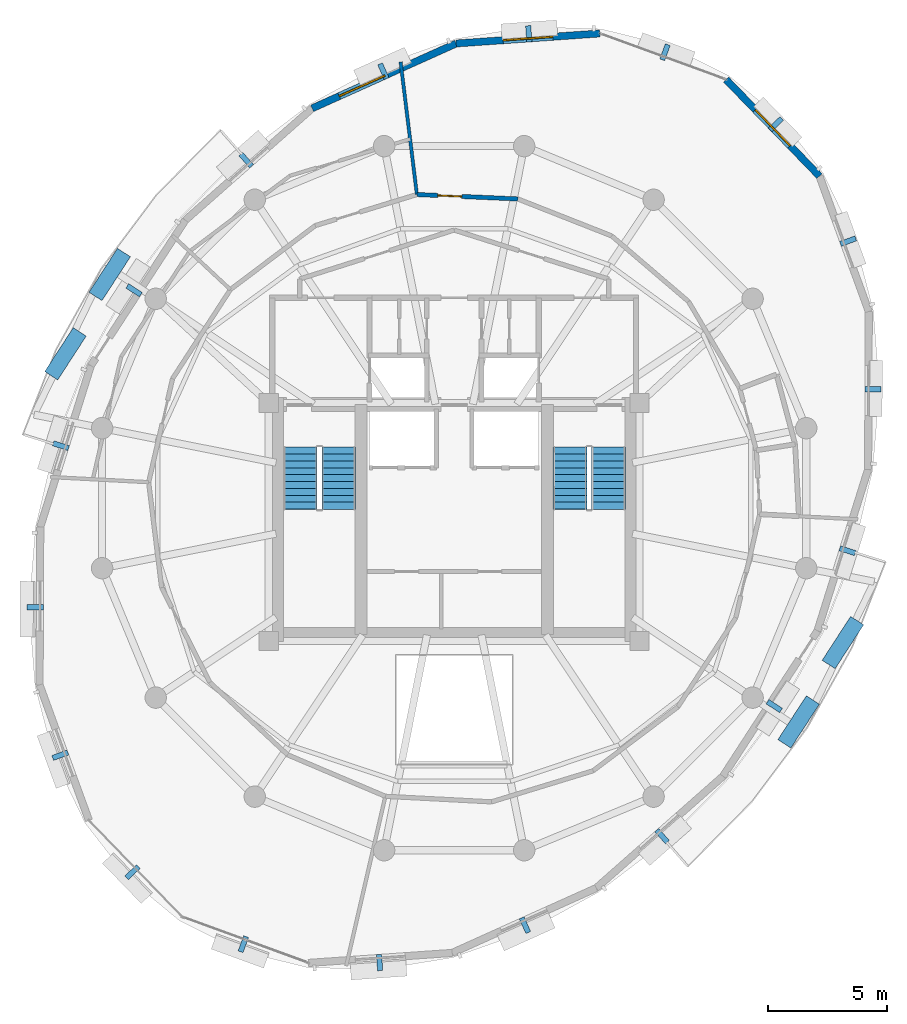
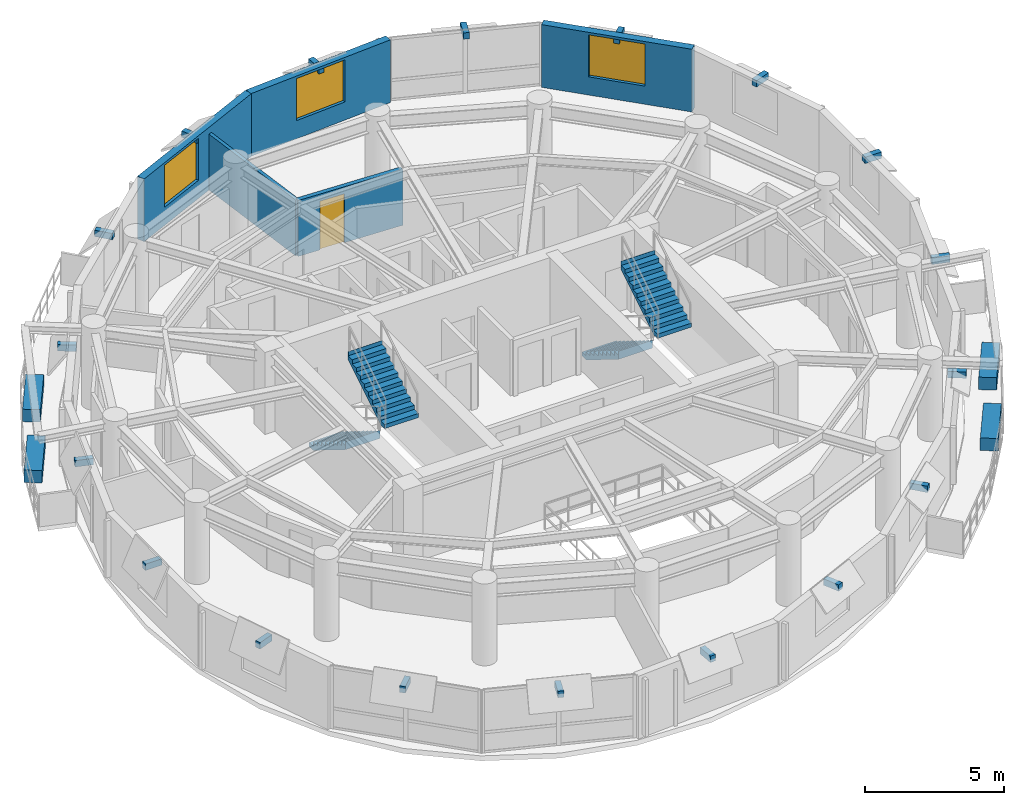
# One storey, part 9 of 11: 22 discrete accessories, 5 walls, 4 stair flights, 3 windows, 1 door, 4 openings, 2 elements without a shape of their own.
"""IFC4 building model written with IfcOpenShell, lengths in metres."""

from ifc_helpers import new_model, si_unit, direction, frame, frame_2d, origin, origin_2d, place, context, subcontext, project, spatial, polyline, rectangle, outline, extrude, material, layer, layer_set, type_object, element, fill, aggregate, save


model = new_model("IFC4")

# Units and contexts
model_context = context("Model", 3, precision=1e-05, world=origin(), true_north=direction((0.0, 1.0)))
body_context = subcontext(model_context, "Body", "Model", "MODEL_VIEW")
ifc_project = project(units=[si_unit("LENGTHUNIT", "METRE"), si_unit("AREAUNIT", "SQUARE_METRE"), si_unit("VOLUMEUNIT", "CUBIC_METRE"), si_unit("PLANEANGLEUNIT", "RADIAN"), si_unit("MASSUNIT", "GRAM", prefix="KILO"), si_unit("THERMODYNAMICTEMPERATUREUNIT", "KELVIN"), si_unit("POWERUNIT", "WATT")], contexts=[model_context])

# Site, building, storey
site_placement = place(None, origin())
site = spatial("IfcSite", under=ifc_project, at=site_placement, CompositionType="ELEMENT")
building_placement = place(site_placement, origin())
building = spatial("IfcBuilding", under=site, at=building_placement, Name="Ocrelia Relay Tower", CompositionType="ELEMENT")
storey_placement = place(building_placement, frame((0.0, 0.0, 266.39990234375)))
storey = spatial("IfcBuildingStorey", under=building, at=storey_placement, Name="L66", CompositionType="ELEMENT", Elevation=266.39990234375)

# Wall, opening, door
ifc_material_1 = material(Name="Gypsum Fireboard Partition EI60", Category="gypsum")
ifc_layer_1 = layer(ifc_material_1, 0.179931640625, Name="Gypsum Fireboard Partition EI60")
ifc_layer_set_1 = layer_set([ifc_layer_1], Name="Gypsum Fireboard Partition EI60")
wall_type_1 = type_object("IfcWallType", Name="W-CORR-EI60-180", PredefinedType="PARTITIONING", material=ifc_layer_set_1)
wall_1_placement = place(storey_placement, frame((36.67578125, 38.5888671875, 0.0), z_axis=(0.0, 0.0, 1.0), x_axis=(-0.999048335503, 0.043616778064, 0.0)))
wall_1 = element("IfcWall", 1, at=wall_1_placement, inside=storey, type_object=wall_type_1, Name="L66 Archive Vault Store East Corridor Partition 4", PredefinedType="PARTITIONING", context=body_context, shape_type="SweptSolid", body=[
    extrude(rectangle(XDim=4.24853515625, YDim=0.179931640625, at=frame_2d((2.124267578125, 0.0))), origin(), (0.0, 0.0, 1.0), 2.460205078125),
])
opening_1_placement = place(wall_1_placement, frame((2.361328125, 0.0, 0.0)))
opening_1 = element("IfcOpeningElement", 2, at=opening_1_placement, cuts=wall_1, Name="Opening D-RM100", PredefinedType="OPENING", context=body_context, shape_type="SweptSolid", body=[
    extrude(rectangle(XDim=1.0, YDim=2.14990234375, at=frame_2d((0.5, 1.074951171875))), frame((0.0, 0.10009765625, 0.0), z_axis=(0.0, -1.0, 0.0), x_axis=(1.0, 0.0, 0.0)), (0.0, 0.0, 1.0), 0.199951171875),
])
ifc_material_2 = material(Name="Acoustic oak veneer fire door", Category="wood")
door_type = type_object("IfcDoorType", Name="DR-ROOM-FD60-1000", OperationType="NOTDEFINED", PredefinedType="DOOR", material=ifc_material_2)
door_placement = place(opening_1_placement, origin())
door = element("IfcDoor", 3, at=door_placement, inside=storey, type_object=door_type, Name="L66 Archive Vault Store East Entrance Door", OperationType="SINGLE_SWING_LEFT", OverallHeight=2.14990234375, OverallWidth=1.0, PredefinedType="DOOR", context=body_context, shape_type="SweptSolid", body=[
    extrude(rectangle(XDim=1.0, YDim=2.14990234375, at=frame_2d((0.5, 1.074951171875))), frame((0.0, 0.02490234375, 0.0), z_axis=(0.0, -1.0, 0.0), x_axis=(1.0, 0.0, 0.0)), (0.0, 0.0, 1.0), 0.050048828125),
])
fill(opening_1, door)

# Wall, opening, window
ifc_material_3 = material(Name="Precast concrete C40/50 with oxide terracotta", Category="masonry")
ifc_layer_2 = layer(ifc_material_3, 0.300048828125, Name="Precast concrete C40/50 with oxide terracotta")
ifc_layer_set_2 = layer_set([ifc_layer_2], Name="Precast concrete C40/50 with oxide terracotta")
wall_type_2 = type_object("IfcWallType", Name="W-EXT-TERR-300", PredefinedType="SOLIDWALL", material=ifc_layer_set_2)
wall_2_placement = place(storey_placement, frame((40.12939453125, 45.549072265625, 0.0), z_axis=(0.0, 0.0, 1.0), x_axis=(-0.997583677261, -0.069475224808, 0.0)))
wall_2 = element("IfcWall", 4, at=wall_2_placement, inside=storey, type_object=wall_type_2, Name="L66 Oxide Terracotta Facade Wall 02", PredefinedType="SOLIDWALL", context=body_context, shape_type="SweptSolid", body=[
    extrude(rectangle(XDim=6.061767578125, YDim=0.300048828125, at=frame_2d((3.03076171875, 0.0))), origin(), (0.0, 0.0, 1.0), 2.760009765625),
])
opening_2_placement = place(wall_2_placement, frame((1.98095703125, 0.0, 0.800048828125)))
opening_2 = element("IfcOpeningElement", 5, at=opening_2_placement, cuts=wall_2, Name="Opening W-07", PredefinedType="OPENING", context=body_context, shape_type="SweptSolid", body=[
    extrude(rectangle(XDim=2.10009765625, YDim=1.85009765625, at=frame_2d((1.050048828125, 0.925048828125))), frame((0.0, 0.16015625, 0.0), z_axis=(0.0, -1.0, 0.0), x_axis=(1.0, 0.0, 0.0)), (0.0, 0.0, 1.0), 0.320068359375),
])
ifc_material_4 = material(Name="Clear double-glazed low-E glass", Category="glass")
window_type = type_object("IfcWindowType", Name="WIN-Z4-2100x2200", PartitioningType="DOUBLE_PANEL_VERTICAL", PredefinedType="WINDOW", material=ifc_material_4)
window_1_placement = place(opening_2_placement, origin())
window_1 = element("IfcWindow", 6, at=window_1_placement, inside=storey, type_object=window_type, Name="L66 Facade Module Window 02", OverallHeight=1.85009765625, OverallWidth=2.10009765625, PartitioningType="SINGLE_PANEL", PredefinedType="WINDOW", context=body_context, shape_type="SweptSolid", body=[
    extrude(rectangle(XDim=2.10009765625, YDim=1.85009765625, at=frame_2d((1.050048828125, 0.925048828125))), frame((0.0, 0.030029296875, 0.0), z_axis=(0.0, -1.0, 0.0), x_axis=(1.0, 0.0, 0.0)), (0.0, 0.0, 1.0), 0.06005859375),
])
fill(opening_2, window_1)

wall_3_placement = place(storey_placement, frame((34.082275390625, 45.1279296875, 0.0), z_axis=(0.0, 0.0, 1.0), x_axis=(-0.911790805928, -0.410654996592, 0.0)))
wall_3 = element("IfcWall", 7, at=wall_3_placement, inside=storey, type_object=wall_type_2, Name="L66 Oxide Terracotta Facade Wall 03", PredefinedType="SOLIDWALL", context=body_context, shape_type="SweptSolid", body=[
    extrude(rectangle(XDim=6.64306640625, YDim=0.300048828125, at=frame_2d((3.321533203125, 0.0))), origin(), (0.0, 0.0, 1.0), 2.760009765625),
])
opening_3_placement = place(wall_3_placement, frame((3.2919921875, 0.0, 0.800048828125)))
opening_3 = element("IfcOpeningElement", 8, at=opening_3_placement, cuts=wall_3, Name="Opening W-07", PredefinedType="OPENING", context=body_context, shape_type="SweptSolid", body=[
    extrude(rectangle(XDim=2.10009765625, YDim=1.85009765625, at=frame_2d((1.050048828125, 0.925048828125))), frame((0.0, 0.16015625, 0.0), z_axis=(0.0, -1.0, 0.0), x_axis=(1.0, 0.0, 0.0)), (0.0, 0.0, 1.0), 0.320068359375),
])
window_2_placement = place(opening_3_placement, origin())
window_2 = element("IfcWindow", 9, at=window_2_placement, inside=storey, type_object=window_type, Name="L66 Facade Module Window 03", OverallHeight=1.85009765625, OverallWidth=2.10009765625, PartitioningType="SINGLE_PANEL", PredefinedType="WINDOW", context=body_context, shape_type="SweptSolid", body=[
    extrude(rectangle(XDim=2.10009765625, YDim=1.85009765625, at=frame_2d((1.050048828125, 0.925048828125))), frame((0.0, 0.030029296875, 0.0), z_axis=(0.0, -1.0, 0.0), x_axis=(1.0, 0.0, 0.0)), (0.0, 0.0, 1.0), 0.06005859375),
])
fill(opening_3, window_2)

wall_4_placement = place(storey_placement, frame((49.36572265625, 39.55078125, 0.0), z_axis=(0.0, 0.0, 1.0), x_axis=(-0.695234265155, 0.718783219444, 0.0)))
wall_4 = element("IfcWall", 10, at=wall_4_placement, inside=storey, type_object=wall_type_2, Name="L66 Oxide Terracotta Facade Wall 18", PredefinedType="SOLIDWALL", context=body_context, shape_type="SweptSolid", body=[
    extrude(rectangle(XDim=5.650146484375, YDim=0.300048828125, at=frame_2d((2.8251953125, 0.0))), origin(), (0.0, 0.0, 1.0), 2.760009765625),
])
opening_4_placement = place(wall_4_placement, frame((1.77490234375, 0.0, 0.800048828125)))
opening_4 = element("IfcOpeningElement", 11, at=opening_4_placement, cuts=wall_4, Name="Opening W-07", PredefinedType="OPENING", context=body_context, shape_type="SweptSolid", body=[
    extrude(rectangle(XDim=2.10009765625, YDim=1.85009765625, at=frame_2d((1.050048828125, 0.925048828125))), frame((0.0, 0.16015625, 0.0), z_axis=(0.0, -1.0, 0.0), x_axis=(1.0, 0.0, 0.0)), (0.0, 0.0, 1.0), 0.320068359375),
])
window_3_placement = place(opening_4_placement, origin())
window_3 = element("IfcWindow", 12, at=window_3_placement, inside=storey, type_object=window_type, Name="L66 Facade Module Window 18", OverallHeight=1.85009765625, OverallWidth=2.10009765625, PartitioningType="SINGLE_PANEL", PredefinedType="WINDOW", context=body_context, shape_type="SweptSolid", body=[
    extrude(rectangle(XDim=2.10009765625, YDim=1.85009765625, at=frame_2d((1.050048828125, 0.925048828125))), frame((0.0, 0.030029296875, 0.0), z_axis=(0.0, -1.0, 0.0), x_axis=(1.0, 0.0, 0.0)), (0.0, 0.0, 1.0), 0.06005859375),
])
fill(opening_4, window_3)

# Wall
ifc_material_5 = material(Name="Acoustic Fireboard Partition EI60", Category="gypsum")
ifc_layer_3 = layer(ifc_material_5, 0.139892578125, Name="Acoustic Fireboard Partition EI60")
ifc_layer_set_3 = layer_set([ifc_layer_3], Name="Acoustic Fireboard Partition EI60")
wall_type_3 = type_object("IfcWallType", Name="W-PART-140", PredefinedType="PARTITIONING", material=ifc_layer_set_3)
wall_5_placement = place(storey_placement, frame((32.431396484375, 38.774169921875, 0.0), z_axis=(0.0, 0.0, 1.0), x_axis=(-0.12183199788, 0.992550736382, 0.0)))
element("IfcWall", 13, at=wall_5_placement, inside=storey, type_object=wall_type_3, Name="L66 Archive Vault Store East Radial Partition", PredefinedType="PARTITIONING", context=body_context, shape_type="SweptSolid", body=[
    extrude(rectangle(XDim=5.62109375, YDim=0.139892578125, at=frame_2d((2.810546875, 0.0))), origin(), (0.0, 0.0, 1.0), 2.460205078125),
])

# Stair, stair flights
ifc_material_6 = material(Name="Concrete C50/60", Category="concrete")
stair_type = type_object("IfcStairType", Name="ST-DL-1420-R180", PredefinedType="HALF_TURN_STAIR", material=ifc_material_6)
stair_1_placement = place(storey_placement, origin())
stair_1 = element("IfcStair", 14, at=stair_1_placement, inside=storey, type_object=stair_type, Name="L66 West Core Exit Stair ST1", PredefinedType="HALF_TURN_STAIR")
stair_flight_type = type_object("IfcStairFlightType", Name="STF-DL-1420-R180", PredefinedType="STRAIGHT", material=ifc_material_6)
stair_flight_1_placement = place(storey_placement, frame((27.52001953125, 28.14990234375, 0.0), z_axis=(0.0, 0.0, 1.0), x_axis=(0.0, -1.0, 0.0)))
stair_flight_1 = element("IfcStairFlight", 15, at=stair_flight_1_placement, type_object=stair_flight_type, Name="ST1 flight 1", NumberOfRisers=10, NumberOfTreads=9, PredefinedType="STRAIGHT", RiserHeight=0.18, TreadLength=0.29, context=body_context, shape_type="SweptSolid", body=[
    extrude(outline(polyline([(-0.008056640625, 0.0), (-0.008056640625, 0.179931640625), (0.0, 0.179931640625), (0.2900390625, 0.179931640625), (0.2900390625, 0.360107421875), (0.580078125, 0.360107421875), (0.580078125, 0.5400390625), (0.8701171875, 0.5400390625), (0.8701171875, 0.719970703125), (1.159912109375, 0.719970703125), (1.159912109375, 0.89990234375), (1.449951171875, 0.89990234375), (1.449951171875, 1.080078125), (1.739990234375, 1.080078125), (1.739990234375, 1.260009765625), (2.030029296875, 1.260009765625), (2.030029296875, 1.43994140625), (2.320068359375, 1.43994140625), (2.320068359375, 1.6201171875), (2.610107421875, 1.6201171875), (2.610107421875, 1.800048828125), (2.617919921875, 1.800048828125), (2.617919921875, 1.443603515625), (0.2841796875, 0.0), (-0.008056640625, 0.0)])), frame((0.0, 0.7099609375, 0.0), z_axis=(0.0, -1.0, 0.0), x_axis=(1.0, 0.0, 0.0)), (0.0, 0.0, 1.0), 1.419921875),
])
stair_flight_2_placement = place(storey_placement, frame((29.139892578125, 25.5400390625, 1.800048828125), z_axis=(0.0, 0.0, 1.0), x_axis=(0.0, 1.0, 0.0)))
stair_flight_2 = element("IfcStairFlight", 16, at=stair_flight_2_placement, type_object=stair_flight_type, Name="ST1 flight 2", NumberOfRisers=10, NumberOfTreads=9, PredefinedType="STRAIGHT", RiserHeight=0.18, TreadLength=0.29, context=body_context, shape_type="SweptSolid", body=[
    extrude(outline(polyline([(-0.008056640625, 0.0), (-0.008056640625, 0.179931640625), (0.0, 0.179931640625), (0.2900390625, 0.179931640625), (0.2900390625, 0.360107421875), (0.580078125, 0.360107421875), (0.580078125, 0.5400390625), (0.8701171875, 0.5400390625), (0.8701171875, 0.719970703125), (1.159912109375, 0.719970703125), (1.159912109375, 0.89990234375), (1.449951171875, 0.89990234375), (1.449951171875, 1.080078125), (1.739990234375, 1.080078125), (1.739990234375, 1.260009765625), (2.030029296875, 1.260009765625), (2.030029296875, 1.43994140625), (2.320068359375, 1.43994140625), (2.320068359375, 1.6201171875), (2.610107421875, 1.6201171875), (2.610107421875, 1.800048828125), (2.617919921875, 1.800048828125), (2.617919921875, 1.443603515625), (0.2841796875, 0.0), (-0.008056640625, 0.0)])), frame((0.0, 0.7099609375, 0.0), z_axis=(0.0, -1.0, 0.0), x_axis=(1.0, 0.0, 0.0)), (0.0, 0.0, 1.0), 1.419921875),
])
aggregate(stair_1, [stair_flight_1, stair_flight_2])

stair_2_placement = place(storey_placement, origin())
stair_2 = element("IfcStair", 17, at=stair_2_placement, inside=storey, type_object=stair_type, Name="L66 East Core Exit Stair ST2", PredefinedType="HALF_TURN_STAIR")
stair_flight_3_placement = place(storey_placement, frame((38.8701171875, 28.14990234375, 0.0), z_axis=(0.0, 0.0, 1.0), x_axis=(0.0, -1.0, 0.0)))
stair_flight_3 = element("IfcStairFlight", 18, at=stair_flight_3_placement, type_object=stair_flight_type, Name="ST2 flight 1", NumberOfRisers=10, NumberOfTreads=9, PredefinedType="STRAIGHT", RiserHeight=0.18, TreadLength=0.29, context=body_context, shape_type="SweptSolid", body=[
    extrude(outline(polyline([(-0.008056640625, 0.0), (-0.008056640625, 0.179931640625), (0.0, 0.179931640625), (0.2900390625, 0.179931640625), (0.2900390625, 0.360107421875), (0.580078125, 0.360107421875), (0.580078125, 0.5400390625), (0.8701171875, 0.5400390625), (0.8701171875, 0.719970703125), (1.159912109375, 0.719970703125), (1.159912109375, 0.89990234375), (1.449951171875, 0.89990234375), (1.449951171875, 1.080078125), (1.739990234375, 1.080078125), (1.739990234375, 1.260009765625), (2.030029296875, 1.260009765625), (2.030029296875, 1.43994140625), (2.320068359375, 1.43994140625), (2.320068359375, 1.6201171875), (2.610107421875, 1.6201171875), (2.610107421875, 1.800048828125), (2.617919921875, 1.800048828125), (2.617919921875, 1.443603515625), (0.2841796875, 0.0), (-0.008056640625, 0.0)])), frame((0.0, 0.7099609375, 0.0), z_axis=(0.0, -1.0, 0.0), x_axis=(1.0, 0.0, 0.0)), (0.0, 0.0, 1.0), 1.419921875),
])
stair_flight_4_placement = place(storey_placement, frame((40.489990234375, 25.5400390625, 1.800048828125), z_axis=(0.0, 0.0, 1.0), x_axis=(0.0, 1.0, 0.0)))
stair_flight_4 = element("IfcStairFlight", 19, at=stair_flight_4_placement, type_object=stair_flight_type, Name="ST2 flight 2", NumberOfRisers=10, NumberOfTreads=9, PredefinedType="STRAIGHT", RiserHeight=0.18, TreadLength=0.29, context=body_context, shape_type="SweptSolid", body=[
    extrude(outline(polyline([(-0.008056640625, 0.0), (-0.008056640625, 0.179931640625), (0.0, 0.179931640625), (0.2900390625, 0.179931640625), (0.2900390625, 0.360107421875), (0.580078125, 0.360107421875), (0.580078125, 0.5400390625), (0.8701171875, 0.5400390625), (0.8701171875, 0.719970703125), (1.159912109375, 0.719970703125), (1.159912109375, 0.89990234375), (1.449951171875, 0.89990234375), (1.449951171875, 1.080078125), (1.739990234375, 1.080078125), (1.739990234375, 1.260009765625), (2.030029296875, 1.260009765625), (2.030029296875, 1.43994140625), (2.320068359375, 1.43994140625), (2.320068359375, 1.6201171875), (2.610107421875, 1.6201171875), (2.610107421875, 1.800048828125), (2.617919921875, 1.800048828125), (2.617919921875, 1.443603515625), (0.2841796875, 0.0), (-0.008056640625, 0.0)])), frame((0.0, 0.7099609375, 0.0), z_axis=(0.0, -1.0, 0.0), x_axis=(1.0, 0.0, 0.0)), (0.0, 0.0, 1.0), 1.419921875),
])
aggregate(stair_2, [stair_flight_3, stair_flight_4])

# Discrete accessories
ifc_material_7 = material(Name="Precast concrete C40/50 planter with highland greenery", Category="concrete")
discrete_accessory_type_1 = type_object("IfcDiscreteAccessoryType", Name="ACC-BALC-PLANTER", PredefinedType="USERDEFINED", material=ifc_material_7)
for number, where, z_axis, x_axis, name in (
    (20, (19.510009765625, 35.409912109375, 0.0), (0.0, 0.0, 1.0), (0.544635278586, 0.838673007387, 0.0), "L66 Balcony Terracotta Planter with Greenery B1"),
    (21, (17.6484375, 32.072509765625, 0.0), (0.0, 0.0, 1.0), (0.544635278586, 0.838673007387, 0.0), "L66 Balcony Terracotta Planter B1-2"),
    (22, (48.489990234375, 16.590087890625, 0.0), (0.0, 0.0, 1.0), (-0.544635278586, -0.838673007387, 0.0), "L66 Balcony Terracotta Planter with Greenery B2"),
    (23, (50.3515625, 19.927490234375, 0.0), (0.0, 0.0, 1.0), (-0.544635278586, -0.838673007387, 0.0), "L66 Balcony Terracotta Planter B2-2"),
):
    element("IfcDiscreteAccessory", number, at=place(storey_placement, frame(where, z_axis=z_axis, x_axis=x_axis)), inside=storey, type_object=discrete_accessory_type_1, Name=name, ObjectType="PLANTER", PredefinedType="USERDEFINED", context=body_context, shape_type="SweptSolid", body=[
        extrude(rectangle(XDim=2.199951171875, YDim=0.64990234375, at=origin_2d()), origin(), (0.0, 0.0, 1.0), 0.550048828125),
    ])
ifc_material_8 = material(Name="Steel S355", Category="steel")
discrete_accessory_type_2 = type_object("IfcDiscreteAccessoryType", Name="ACC-VISOR-BRACKET", PredefinedType="BRACKET", material=ifc_material_8)
for number, where, z_axis, x_axis, name in (
    (24, (42.868896484375, 44.761474609375, 2.4599609375), (0.0, 0.0, 1.0), (-0.939408893215, 0.342798674659, 0.0), "L66 Visor Mounting Bracket 01"),
    (25, (37.1376953125, 45.535888671875, 2.4599609375), (0.0, 0.0, 1.0), (-0.997585371501, -0.069450893212, 0.0), "L66 Visor Mounting Bracket 02"),
    (26, (31.02099609375, 43.961181640625, 2.4599609375), (0.0, 0.0, 1.0), (-0.911788515495, -0.410660082077, 0.0), "L66 Visor Mounting Bracket 03"),
    (27, (25.251953125, 40.21728515625, 2.4599609375), (0.0, 0.0, 1.0), (-0.750017473549, -0.661418014096, 0.0), "L66 Visor Mounting Bracket 04"),
    (28, (20.534912109375, 34.744384765625, 2.4599609375), (0.0, 0.0, 1.0), (-0.544632623088, -0.838674731865, 0.0), "L66 Visor Mounting Bracket 05"),
    (29, (17.453857421875, 28.208984375, 2.4599609375), (0.0, 0.0, 1.0), (-0.299189540932, -0.954193700774, 0.0), "L66 Visor Mounting Bracket 06"),
    (30, (16.3798828125, 21.416015625, 2.4599609375), (0.0, 0.0, 1.0), (-0.004305179057, -0.999990732674, 0.0), "L66 Visor Mounting Bracket 07"),
    (31, (17.42919921875, 15.187744140625, 2.4599609375), (0.0, 0.0, 1.0), (0.342316519811, -0.939584695631, 0.0), "L66 Visor Mounting Bracket 08"),
    (32, (20.468017578125, 10.266845703125, 2.4599609375), (0.0, 0.0, 1.0), (0.695257493895, -0.718760751004, 0.0), "L66 Visor Mounting Bracket 09"),
    (33, (25.131103515625, 7.238525390625, 2.4599609375), (0.0, 0.0, 1.0), (0.939408893215, -0.342798674659, 0.0), "L66 Visor Mounting Bracket 10"),
    (34, (30.8623046875, 6.464111328125, 2.4599609375), (0.0, 0.0, 1.0), (0.997585371501, 0.069450893212, 0.0), "L66 Visor Mounting Bracket 11"),
    (35, (36.97900390625, 8.038818359375, 2.4599609375), (0.0, 0.0, 1.0), (0.911788515495, 0.410660082077, 0.0), "L66 Visor Mounting Bracket 12"),
    (36, (42.748046875, 11.78271484375, 2.4599609375), (0.0, 0.0, 1.0), (0.750017473549, 0.661418014096, 0.0), "L66 Visor Mounting Bracket 13"),
    (37, (47.465087890625, 17.255615234375, 2.4599609375), (0.0, 0.0, 1.0), (0.544632623088, 0.838674731865, 0.0), "L66 Visor Mounting Bracket 14"),
    (38, (50.546142578125, 23.791015625, 2.4599609375), (0.0, 0.0, 1.0), (0.299189540932, 0.954193700774, 0.0), "L66 Visor Mounting Bracket 15"),
    (39, (51.6201171875, 30.583984375, 2.4599609375), (0.0, 0.0, 1.0), (0.004305179057, 0.999990732674, 0.0), "L66 Visor Mounting Bracket 16"),
    (40, (50.57080078125, 36.812255859375, 2.4599609375), (0.0, 0.0, 1.0), (-0.342316519811, 0.939584695631, 0.0), "L66 Visor Mounting Bracket 17"),
    (41, (47.531982421875, 41.733154296875, 2.4599609375), (0.0, 0.0, 1.0), (-0.695257493895, 0.718760751004, 0.0), "L66 Visor Mounting Bracket 18"),
):
    element("IfcDiscreteAccessory", number, at=place(storey_placement, frame(where, z_axis=z_axis, x_axis=x_axis)), inside=storey, type_object=discrete_accessory_type_2, Name=name, PredefinedType="BRACKET", context=body_context, shape_type="SweptSolid", body=[
        extrude(rectangle(XDim=0.219970703125, YDim=0.679931640625, at=origin_2d()), origin(), (0.0, 0.0, 1.0), 0.280029296875),
    ])

save(model, "model.ifc")
